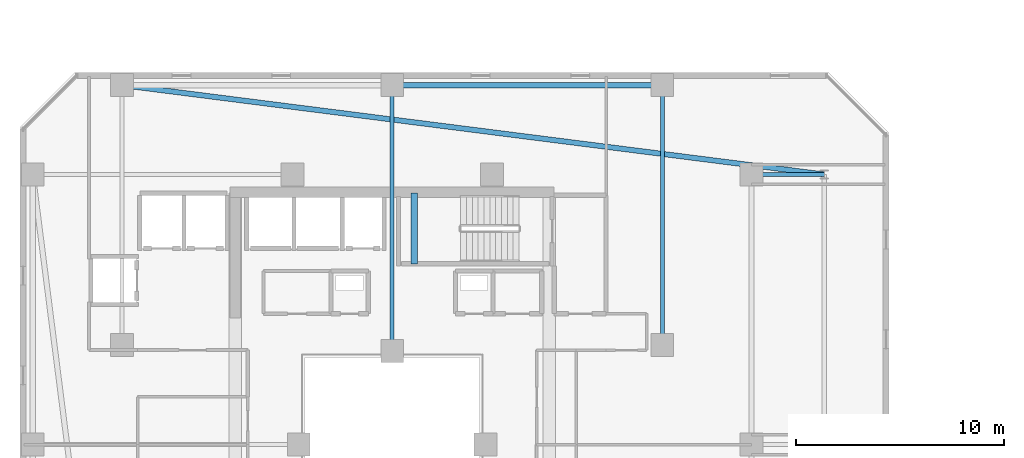
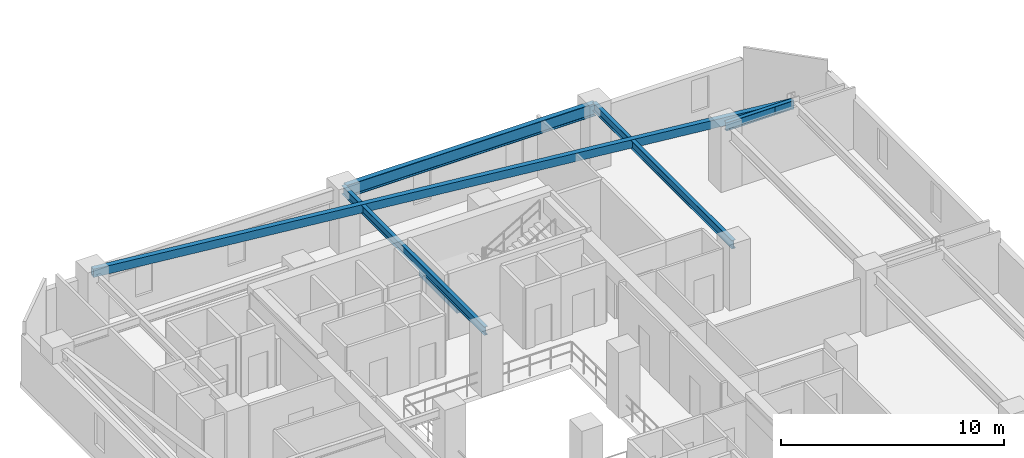
# One storey, part 9 of 33: 6 beams.
"""IFC4 building model written with IfcOpenShell, lengths in metres."""

from ifc_helpers import new_model, si_unit, direction, frame, origin, origin_2d, place, context, subcontext, project, spatial, rectangle, hollow_rectangle, i_section, extrude, material, material_profile, profile_set, type_object, element, save


model = new_model("IFC4")

# Units and contexts
model_context = context("Model", 3, precision=1e-05, world=origin(), true_north=direction((0.0, 1.0)))
body_context = subcontext(model_context, "Body", "Model", "MODEL_VIEW")
ifc_project = project(units=[si_unit("LENGTHUNIT", "METRE"), si_unit("AREAUNIT", "SQUARE_METRE"), si_unit("VOLUMEUNIT", "CUBIC_METRE"), si_unit("PLANEANGLEUNIT", "RADIAN"), si_unit("MASSUNIT", "GRAM", prefix="KILO")], contexts=[model_context])

# Site, building, storey
site_placement = place(None, origin())
site = spatial("IfcSite", under=ifc_project, at=site_placement, CompositionType="ELEMENT")
building_placement = place(site_placement, origin())
building = spatial("IfcBuilding", under=site, at=building_placement, Name="Thornwick Lancets Civic Towers", CompositionType="ELEMENT")
storey_placement = place(building_placement, frame((0.0, 0.0, 167.10009765625)))
storey = spatial("IfcBuildingStorey", under=building, at=storey_placement, Name="L44", CompositionType="ELEMENT", Elevation=167.10009765625)

# Beams
ifc_material_1 = material(Name="Steel S355JR", Category="steel")
ifc_material_profile_1 = material_profile(ifc_material_1, i_section(OverallWidth=0.255859375, OverallDepth=0.69287109375, WebThickness=0.014404296875, FlangeThickness=0.023681640625, FilletRadius=0.01513671875, at=origin_2d()), Name="UKB 686x254x170")
ifc_profile_set_1 = profile_set([ifc_material_profile_1], Name="Steel S355JR")
beam_type_1 = type_object("IfcBeamType", Name="BM_GIRD_686_170", PredefinedType="BEAM", material=ifc_profile_set_1)
beam_1_placement = place(storey_placement, frame((25.580078125, 44.300048828125, 3.013427734375), z_axis=(1.0, 0.0, 0.0), x_axis=(0.0, 1.0, 0.0)))
element("IfcBeam", 1, at=beam_1_placement, inside=storey, type_object=beam_type_1, Name="BM-SPINE-L44-A-7-8", PredefinedType="BEAM", context=body_context, shape_type="SweptSolid", body=[
    extrude(i_section(OverallWidth=0.255859375, OverallDepth=0.69287109375, WebThickness=0.014404296875, FlangeThickness=0.023681640625, FilletRadius=0.01513671875, at=origin_2d()), origin(), (0.0, 0.0, 1.0), 12.919921875),
])
ifc_material_profile_2 = material_profile(ifc_material_1, i_section(OverallWidth=0.19189453125, OverallDepth=0.46337890625, WebThickness=0.010498046875, FlangeThickness=0.017578125, FilletRadius=0.01025390625, at=origin_2d()), Name="UKB 457x191x89")
ifc_profile_set_2 = profile_set([ifc_material_profile_2], Name="Steel S355JR")
beam_type_2 = type_object("IfcBeamType", Name="BM_JOIST_457_89", PredefinedType="JOIST", material=ifc_profile_set_2)
beam_2_placement = place(storey_placement, frame((42.800048828125, 40.0, 3.128173828125), z_axis=(1.0, 0.0, 0.0), x_axis=(0.0, 1.0, 0.0)))
element("IfcBeam", 2, at=beam_2_placement, inside=storey, type_object=beam_type_2, Name="BM-RAD-L44-A06", PredefinedType="JOIST", context=body_context, shape_type="SweptSolid", body=[
    extrude(i_section(OverallWidth=0.19189453125, OverallDepth=0.46337890625, WebThickness=0.010498046875, FlangeThickness=0.017578125, FilletRadius=0.01025390625, at=origin_2d()), origin(), (0.0, 0.0, 1.0), 3.5),
])
beam_3_placement = place(storey_placement, frame((25.5, 31.5, 3.128173828125), z_axis=(0.0, 1.0, 0.0), x_axis=(-1.0, 0.0, 0.0)))
element("IfcBeam", 3, at=beam_3_placement, inside=storey, type_object=beam_type_2, Name="BM-RADIN-L44-A08", PredefinedType="JOIST", context=body_context, shape_type="SweptSolid", body=[
    extrude(i_section(OverallWidth=0.19189453125, OverallDepth=0.46337890625, WebThickness=0.010498046875, FlangeThickness=0.017578125, FilletRadius=0.01025390625, at=origin_2d()), origin(), (0.0, 0.0, 1.0), 12.800048828125),
])
beam_4_placement = place(storey_placement, frame((38.5, 31.800048828125, 3.128173828125), z_axis=(0.0, 1.0, 0.0), x_axis=(-1.0, 0.0, 0.0)))
element("IfcBeam", 4, at=beam_4_placement, inside=storey, type_object=beam_type_2, Name="BM-RADIN-L44-A09", PredefinedType="JOIST", context=body_context, shape_type="SweptSolid", body=[
    extrude(i_section(OverallWidth=0.19189453125, OverallDepth=0.46337890625, WebThickness=0.010498046875, FlangeThickness=0.017578125, FilletRadius=0.01025390625, at=origin_2d()), origin(), (0.0, 0.0, 1.0), 12.5),
])
ifc_material_profile_3 = material_profile(ifc_material_1, hollow_rectangle(XDim=0.25, YDim=0.449951171875, WallThickness=0.01611328125, at=origin_2d()), Name="RHS 450x250x16")
ifc_profile_set_3 = profile_set([ifc_material_profile_3], Name="Steel S355JR")
beam_type_3 = type_object("IfcBeamType", Name="BM_RING_RHS450", PredefinedType="BEAM", material=ifc_profile_set_3)
beam_5_placement = place(storey_placement, frame((46.300048828125, 40.0, 3.135009765625), z_axis=(-0.992004437051, 0.126202998662, 0.0), x_axis=(-0.126202998662, -0.992004437051, 0.0)))
element("IfcBeam", 5, at=beam_5_placement, inside=storey, type_object=beam_type_3, Name="BM-CHAMF-L44-A-C1", PredefinedType="BEAM", context=body_context, shape_type="SweptSolid", body=[
    extrude(hollow_rectangle(XDim=0.25, YDim=0.449951171875, WallThickness=0.01611328125, at=origin_2d()), origin(), (0.0, 0.0, 1.0), 34.072509765625),
])
ifc_material_2 = material(Name="Concrete C40/50", Category="concrete")
ifc_material_profile_4 = material_profile(ifc_material_2, rectangle(XDim=0.300048828125, YDim=0.35009765625, at=origin_2d()), Name="RC 300x350")
ifc_profile_set_4 = profile_set([ifc_material_profile_4], Name="Concrete C40/50")
beam_type_4 = type_object("IfcBeamType", Name="BM_STAIR_LDG", PredefinedType="BEAM", material=ifc_profile_set_4)
beam_6_placement = place(storey_placement, frame((26.56494140625, 39.10009765625, 1.3779296875), z_axis=(0.0, -1.0, 0.0), x_axis=(1.0, 0.0, 0.0)))
element("IfcBeam", 6, at=beam_6_placement, inside=storey, type_object=beam_type_4, Name="L44 ST-A2 Landing Support Beam 1", PredefinedType="BEAM", context=body_context, shape_type="SweptSolid", body=[
    extrude(rectangle(XDim=0.300048828125, YDim=0.35009765625, at=origin_2d()), origin(), (0.0, 0.0, 1.0), 3.400146484375),
])

save(model, "model.ifc")
